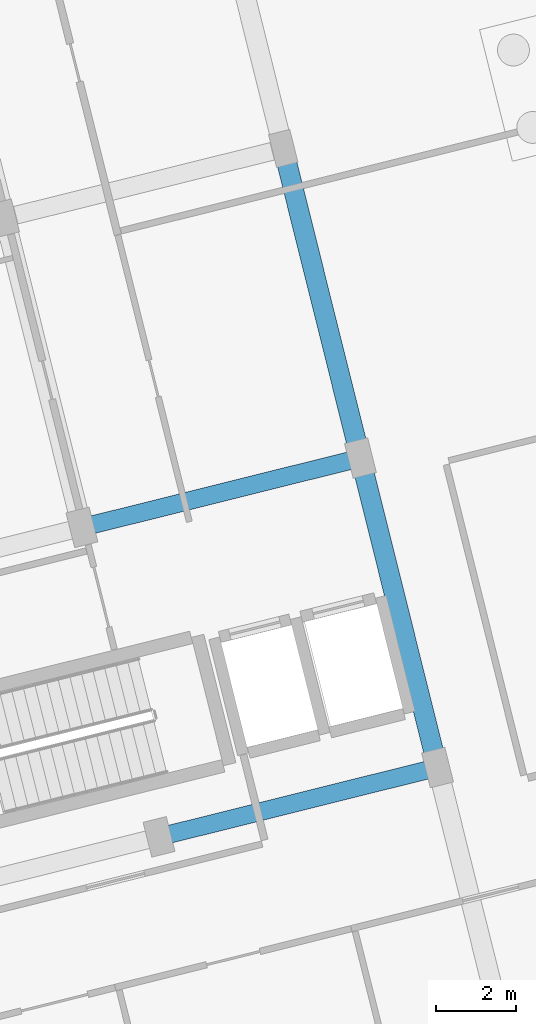
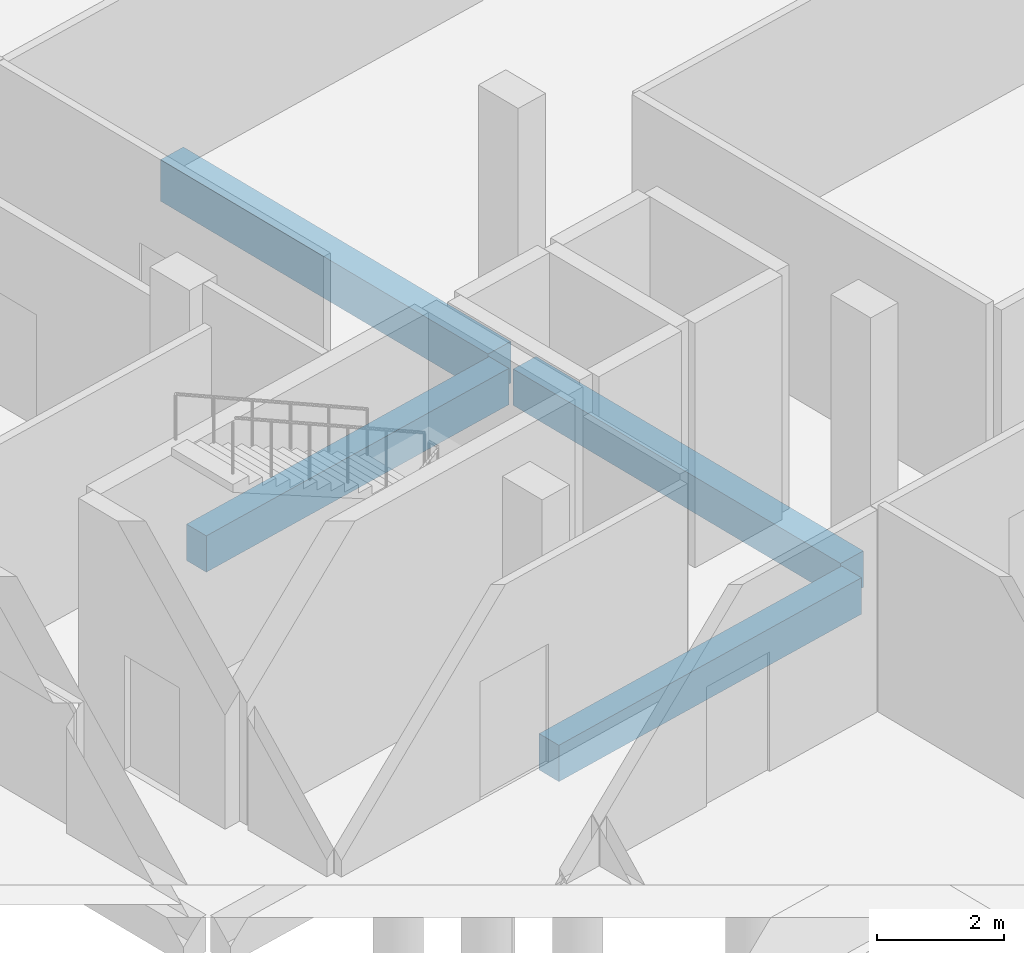
# One storey, part 94 of 173: 4 beams.
"""IFC4 building model written with IfcOpenShell, lengths in metres."""

from ifc_helpers import new_model, si_unit, direction, frame, origin, origin_2d, place, context, subcontext, project, spatial, rectangle, extrude, material, material_profile, profile_set, type_object, element, save


model = new_model("IFC4")

# Units and contexts
model_context = context("Model", 3, precision=1e-05, world=origin(), true_north=direction((0.0, 1.0)))
body_context = subcontext(model_context, "Body", "Model", "MODEL_VIEW")
ifc_project = project(units=[si_unit("LENGTHUNIT", "METRE"), si_unit("AREAUNIT", "SQUARE_METRE"), si_unit("VOLUMEUNIT", "CUBIC_METRE"), si_unit("PLANEANGLEUNIT", "RADIAN"), si_unit("MASSUNIT", "GRAM", prefix="KILO")], contexts=[model_context])

# Site, building, storey
site_placement = place(None, origin())
site = spatial("IfcSite", under=ifc_project, at=site_placement, CompositionType="ELEMENT")
building_placement = place(site_placement, origin())
building = spatial("IfcBuilding", under=site, at=building_placement, Name="Mawjan Specialist Oncology Clinic", CompositionType="ELEMENT")
storey_placement = place(building_placement, origin())
storey = spatial("IfcBuildingStorey", under=building, at=storey_placement, Name="L00", CompositionType="ELEMENT", Elevation=0.0)

# Beams
ifc_material_1 = material(Name="Concrete C40/50", Category="concrete")
ifc_material_profile_1 = material_profile(ifc_material_1, rectangle(XDim=0.449951171875, YDim=0.699951171875, at=origin_2d()), Name="RC BM 450x700", Category="concrete")
ifc_profile_set_1 = profile_set([ifc_material_profile_1], Name="Concrete C40/50")
beam_type_1 = type_object("IfcBeamType", Name="BM-450x700", PredefinedType="BEAM", material=ifc_profile_set_1)
beam_1_placement = place(storey_placement, frame((129.391845703125, 18.135498046875, -0.77001953125), z_axis=(0.970293935913, 0.241929076241, 0.0), x_axis=(-0.241929076241, 0.970293935913, 0.0)))
element("IfcBeam", 1, at=beam_1_placement, inside=storey, type_object=beam_type_1, Name="L00 Collector Beam BM-L00-0208", PredefinedType="BEAM", context=body_context, shape_type="SweptSolid", body=[
    extrude(rectangle(XDim=0.449951171875, YDim=0.699951171875, at=origin_2d()), origin(), (0.0, 0.0, 1.0), 6.630126953125),
])
beam_2_placement = place(storey_placement, frame((127.45654296875, 25.89794921875, -0.77001953125), z_axis=(0.970302579357, 0.241894407734, 0.0), x_axis=(-0.241894407734, 0.970302579357, 0.0)))
element("IfcBeam", 2, at=beam_2_placement, inside=storey, type_object=beam_type_1, Name="L00 Collector Beam BM-L00-0210", PredefinedType="BEAM", context=body_context, shape_type="SweptSolid", body=[
    extrude(rectangle(XDim=0.449951171875, YDim=0.699951171875, at=origin_2d()), origin(), (0.0, 0.0, 1.0), 6.6298828125),
])
ifc_material_2 = material(Name="Concrete C45/55", Category="concrete")
ifc_material_profile_2 = material_profile(ifc_material_2, rectangle(XDim=0.5, YDim=0.800048828125, at=origin_2d()), Name="RC BM 500x800", Category="concrete")
ifc_profile_set_2 = profile_set([ifc_material_profile_2], Name="Concrete C45/55")
beam_type_2 = type_object("IfcBeamType", Name="BM-500x800", PredefinedType="BEAM", material=ifc_profile_set_2)
beam_3_placement = place(storey_placement, frame((134.09716796875, 27.847412109375, -0.820068359375), z_axis=(-0.241909317102, 0.970298862361, 0.0), x_axis=(-0.970298862361, -0.241909317102, 0.0)))
element("IfcBeam", 3, at=beam_3_placement, inside=storey, type_object=beam_type_2, Name="L00 Collector Beam BM-L00-0223", PredefinedType="BEAM", context=body_context, shape_type="SweptSolid", body=[
    extrude(rectangle(XDim=0.5, YDim=0.800048828125, at=origin_2d()), origin(), (0.0, 0.0, 1.0), 7.429931640625),
])
ifc_material_3 = material(Name="Concrete C45/55", Category="concrete")
ifc_material_profile_3 = material_profile(ifc_material_3, rectangle(XDim=0.5, YDim=0.699951171875, at=origin_2d()), Name="RC BM 500x700", Category="concrete")
ifc_profile_set_3 = profile_set([ifc_material_profile_3], Name="Concrete C45/55")
beam_type_3 = type_object("IfcBeamType", Name="SP-500x700", PredefinedType="SPANDREL", material=ifc_profile_set_3)
beam_4_placement = place(storey_placement, frame((136.032470703125, 20.0849609375, -0.77001953125), z_axis=(-0.241909317102, 0.970298862361, 0.0), x_axis=(-0.970298862361, -0.241909317102, 0.0)))
element("IfcBeam", 4, at=beam_4_placement, inside=storey, type_object=beam_type_3, Name="L00 Spandrel Beam BM-L00-0222", PredefinedType="SPANDREL", context=body_context, shape_type="SweptSolid", body=[
    extrude(rectangle(XDim=0.5, YDim=0.699951171875, at=origin_2d()), origin(), (0.0, 0.0, 1.0), 7.429931640625),
])

save(model, "model.ifc")
